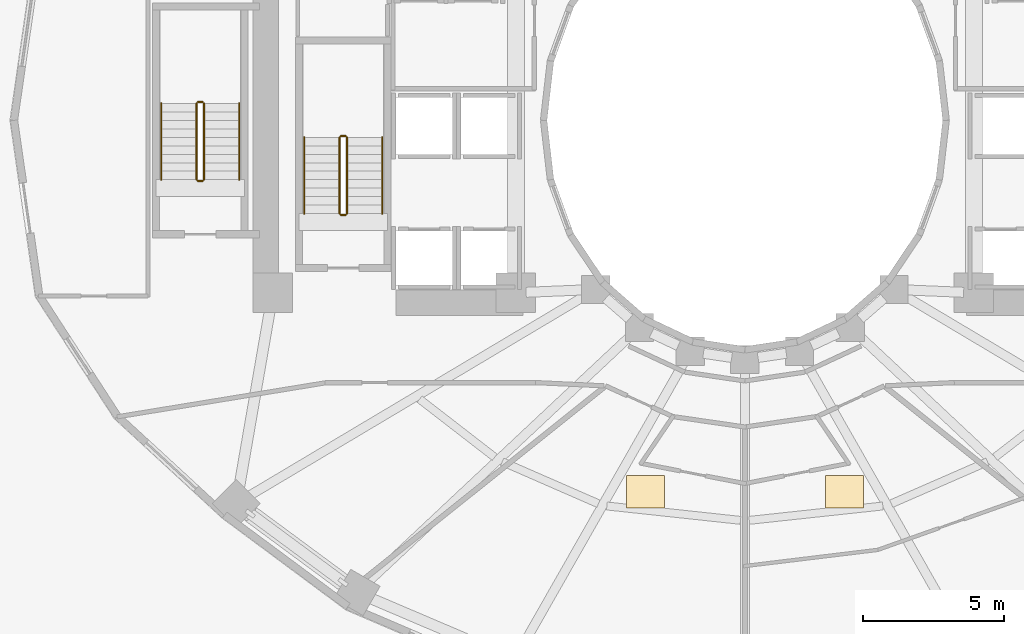
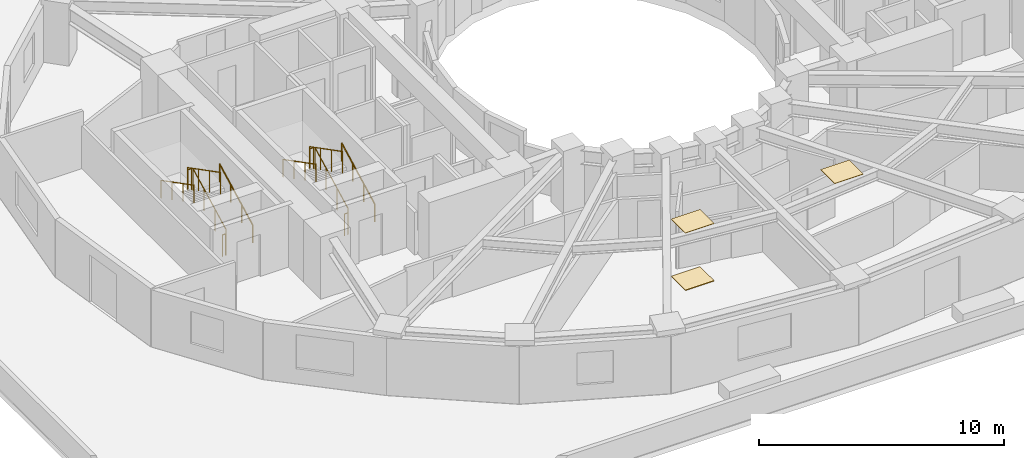
# One storey, part 9 of 10: 12 railings, 3 coverings.
"""IFC4 building model written with IfcOpenShell, lengths in metres."""

import ifcopenshell
import ifcopenshell.guid

model = None  # the IFC model being written
_history = None  # IfcOwnerHistory: only IFC2X3 demands one
_inside = {}  # id of a spatial element -> (the spatial element, [elements in it])
_under = {}  # id of a project, library or spatial element -> (it, [spatial elements below it])
_declared = {}  # id of a project -> (the project, [libraries it declares])
_typed = {}  # id of a type object -> (the type object, [elements of that type])
_made_of = {}  # id of a material, layer set ... -> (it, [elements and type objects made of it])


def new_model(schema):
    """Start an empty IFC model of exactly this schema.

    Asked for "IFC4X3", IfcOpenShell would pick the latest addendum, in which some entities
    have other attributes; the version numbers below select the first issue.
    IFC2X3 requires an IfcOwnerHistory on every rooted entity: one is made here for all.
    """
    global model, _history
    if schema == "IFC4X3":
        model = ifcopenshell.file(schema_version=(4, 3, 0, 0))
    else:
        model = ifcopenshell.file(schema=schema)
    _inside.clear()
    _under.clear()
    _declared.clear()
    _typed.clear()
    _made_of.clear()
    _history = None
    if model.schema == "IFC2X3":
        org = make("IfcOrganization", Name="unknown")
        user = make(
            "IfcPersonAndOrganization",
            ThePerson=make("IfcPerson", FamilyName="unknown"),
            TheOrganization=org,
        )
        app = make(
            "IfcApplication",
            ApplicationDeveloper=org,
            Version="unknown",
            ApplicationFullName="unknown",
            ApplicationIdentifier="unknown",
        )
        _history = make(
            "IfcOwnerHistory",
            OwningUser=user,
            OwningApplication=app,
            ChangeAction="ADDED",
            CreationDate=0,
        )
    return model


def make(cls, **values):
    """One entity of the class cls with the attributes given. An attribute that is None is left unset."""
    return model.create_entity(
        cls, **{name: value for name, value in values.items() if value is not None}
    )


def rooted(cls, **values):
    """An entity with a GlobalId (a new one), such as an element, a storey or a relation."""
    return make(cls, GlobalId=ifcopenshell.guid.new(), OwnerHistory=_history, **values)


def si_unit(unit_type, name, prefix=None):
    """IfcSIUnit, for example si_unit("LENGTHUNIT", "METRE", prefix="MILLI")."""
    return make("IfcSIUnit", UnitType=unit_type, Prefix=prefix, Name=name)


def assignment(units):
    """IfcUnitAssignment: the units of a project."""
    return None if units is None else make("IfcUnitAssignment", Units=units)


def point(xyz):
    """IfcCartesianPoint."""
    return None if xyz is None else make("IfcCartesianPoint", Coordinates=xyz)


def direction(xyz):
    """IfcDirection."""
    return None if xyz is None else make("IfcDirection", DirectionRatios=xyz)


def frame(location, z_axis=None, x_axis=None):
    """IfcAxis2Placement3D, a coordinate frame: its origin and axes. An axis left out is left unset."""
    return make(
        "IfcAxis2Placement3D",
        Location=point(location),
        Axis=direction(z_axis),
        RefDirection=direction(x_axis),
    )


def frame_2d(location, x_axis=None):
    """IfcAxis2Placement2D, a coordinate frame in the plane: its origin and x axis."""
    return make(
        "IfcAxis2Placement2D", Location=point(location), RefDirection=direction(x_axis)
    )


def origin():
    """The frame at (0, 0, 0) with its axes left unset."""
    return frame((0.0, 0.0, 0.0))


def origin_2d():
    """The frame at (0, 0) in the plane with its x axis left unset."""
    return frame_2d((0.0, 0.0))


def place(relative_to, where):
    """IfcLocalPlacement: puts the frame where relative to a parent placement (None: the world)."""
    return make(
        "IfcLocalPlacement", PlacementRelTo=relative_to, RelativePlacement=where
    )


def context(
    kind, dimensions, precision=None, world=None, true_north=None, identifier=None
):
    """IfcGeometricRepresentationContext, for example the 3D "Model" context."""
    return make(
        "IfcGeometricRepresentationContext",
        ContextIdentifier=identifier,
        ContextType=kind,
        CoordinateSpaceDimension=dimensions,
        Precision=precision,
        WorldCoordinateSystem=world,
        TrueNorth=true_north,
    )


def subcontext(parent, identifier, kind, view, scale=None):
    """IfcGeometricRepresentationSubContext, for example "Body" below "Model"."""
    return make(
        "IfcGeometricRepresentationSubContext",
        ContextIdentifier=identifier,
        ContextType=kind,
        ParentContext=parent,
        TargetScale=scale,
        TargetView=view,
    )


def project(units=None, contexts=None):
    """IfcProject with its units and contexts."""
    return rooted(
        "IfcProject",
        Name="project",
        RepresentationContexts=contexts,
        UnitsInContext=assignment(units),
    )


def spatial(cls, under=None, at=None, **own):
    """A site, building, storey or space (cls), placed at a placement, below another one or the project."""
    s = rooted(cls, ObjectPlacement=at, **own)
    if under is not None:
        _under.setdefault(under.id(), (under, []))[1].append(s)
    return s


def polyline(points):
    """IfcPolyline through the points."""
    return make("IfcPolyline", Points=[point(p) for p in points])


def profile(cls, at=None, kind="AREA", **sizes):
    """A parametric profile (cls). Its sizes go by their IFC names, for example OverallWidth=200.0."""
    return make(cls, ProfileType=kind, Position=at, **sizes)


def circle(**sizes):
    """IfcCircleProfileDef."""
    return profile("IfcCircleProfileDef", **sizes)


def outline(outer, holes=None, kind="AREA"):
    """IfcArbitraryClosedProfileDef: a profile drawn as a closed curve; with holes, ...WithVoids."""
    if holes is None:
        return make("IfcArbitraryClosedProfileDef", ProfileType=kind, OuterCurve=outer)
    return make(
        "IfcArbitraryProfileDefWithVoids",
        ProfileType=kind,
        OuterCurve=outer,
        InnerCurves=holes,
    )


def extrude(swept, where, along, depth):
    """IfcExtrudedAreaSolid: the profile swept, set in the frame where, extruded along a direction by depth."""
    return make(
        "IfcExtrudedAreaSolid",
        SweptArea=swept,
        Position=where,
        ExtrudedDirection=direction(along),
        Depth=depth,
    )


def shape(context_of_items, identifier, shape_type, items):
    """IfcShapeRepresentation: the items that make up one representation, for example the "Body"."""
    return make(
        "IfcShapeRepresentation",
        ContextOfItems=context_of_items,
        RepresentationIdentifier=identifier,
        RepresentationType=shape_type,
        Items=items,
    )


def material(Name=None, Category=None):
    """IfcMaterial."""
    return make("IfcMaterial", Name=Name, Category=Category)


def layer(
    of_material, thickness, ventilated=None, Name=None, Category=None, Priority=None
):
    """IfcMaterialLayer: one layer of a wall or slab, of a material (None: an air gap)."""
    return make(
        "IfcMaterialLayer",
        Material=of_material,
        LayerThickness=thickness,
        IsVentilated=ventilated,
        Name=Name,
        Category=Category,
        Priority=Priority,
    )


def layer_set(layers, Name=None):
    """IfcMaterialLayerSet."""
    return make("IfcMaterialLayerSet", MaterialLayers=layers, LayerSetName=Name)


def made_of(thing, what):
    """Note that an element or type object is made of a material, layer set ...; save() writes the relation."""
    if what is not None:
        _made_of.setdefault(what.id(), (what, []))[1].append(thing)
    return thing


def type_object(cls, material=None, **own):
    """A type object (cls), such as IfcWallType, which elements share."""
    return made_of(rooted(cls, **own), material)


def element(
    cls,
    number,
    at=None,
    inside=None,
    cuts=None,
    type_object=None,
    material=None,
    context=None,
    identifier="Body",
    shape_type=None,
    held_by="IfcProductDefinitionShape",
    body=None,
    shapes=None,
    **own,
):
    """One element of the class cls, such as IfcWall. Its Tag is "e" and its number.

    at: its placement. inside: the storey or other place that contains it. cuts: it is an
    opening in that element (IfcRelVoidsElement). A single representation is given by context,
    identifier, shape_type and body (its items); several are given by shapes. held_by: the class
    of the entity that holds the representations. save() writes the other relations.
    """
    e = rooted(cls, Tag="e%d" % number, ObjectPlacement=at, **own)
    if body is not None:
        shapes = [shape(context, identifier, shape_type, body)]
    if shapes is not None:
        e.Representation = make(held_by, Representations=shapes)
    if inside is not None:
        _inside.setdefault(inside.id(), (inside, []))[1].append(e)
    if cuts is not None:
        rooted(
            "IfcRelVoidsElement", RelatingBuildingElement=cuts, RelatedOpeningElement=e
        )
    if type_object is not None:
        _typed.setdefault(type_object.id(), (type_object, []))[1].append(e)
    return made_of(e, material)


def aggregate(whole, parts):
    """IfcRelAggregates: a whole, such as a stair, and the parts it consists of."""
    return rooted("IfcRelAggregates", RelatingObject=whole, RelatedObjects=parts)


def save(model, path):
    """Write the relations noted so far, then the file.

    IfcRelAggregates (storeys below a building ...), IfcRelContainedInSpatialStructure (elements
    in a storey), IfcRelDefinesByType, IfcRelAssociatesMaterial and IfcRelDeclares: one each for
    every whole, place, type object, material and project.
    """
    for whole, parts in _under.values():
        aggregate(whole, parts)
    for where, things in _inside.values():
        rooted(
            "IfcRelContainedInSpatialStructure",
            RelatedElements=things,
            RelatingStructure=where,
        )
    for kind, things in _typed.values():
        rooted("IfcRelDefinesByType", RelatedObjects=things, RelatingType=kind)
    for what, things in _made_of.values():
        rooted("IfcRelAssociatesMaterial", RelatedObjects=things, RelatingMaterial=what)
    for by, libraries in _declared.values():
        rooted("IfcRelDeclares", RelatingContext=by, RelatedDefinitions=libraries)
    model.write(path)


model = new_model("IFC4")

# Units and contexts
model_context = context("Model", 3, precision=1e-05, world=origin(), true_north=direction((0.0, 1.0)))
body_context = subcontext(model_context, "Body", "Model", "MODEL_VIEW")
ifc_project = project(units=[si_unit("LENGTHUNIT", "METRE"), si_unit("AREAUNIT", "SQUARE_METRE"), si_unit("VOLUMEUNIT", "CUBIC_METRE"), si_unit("PLANEANGLEUNIT", "RADIAN"), si_unit("MASSUNIT", "GRAM", prefix="KILO")], contexts=[model_context])

# Site, building, storey
site_placement = place(None, origin())
site = spatial("IfcSite", under=ifc_project, at=site_placement, CompositionType="ELEMENT")
building_placement = place(site_placement, origin())
building = spatial("IfcBuilding", under=site, at=building_placement, Name="Solvane Sanctuary Tower", CompositionType="ELEMENT")
storey_placement = place(building_placement, frame((0.0, 0.0, 27.60009765625)))
storey = spatial("IfcBuildingStorey", under=building, at=storey_placement, Name="L07", CompositionType="ELEMENT", Elevation=27.60009765625)

# Coverings
ifc_material_1 = material(Name="Acoustic Gypsum Partition Board")
ifc_layer_1 = layer(ifc_material_1, 0.02490234375, Name="Acoustic Gypsum Partition Board")
ifc_layer_set_1 = layer_set([ifc_layer_1], Name="Acoustic Gypsum Partition Board")
covering_type_1 = type_object("IfcCoveringType", Name="Covering CLG-ACOUST", PredefinedType="CEILING", material=ifc_layer_set_1)
covering_1_placement = place(storey_placement, frame((0.0, 0.0, 2.849853515625)))
element("IfcCovering", 1, at=covering_1_placement, inside=storey, type_object=covering_type_1, Name="L07 Unit Acoustic Ceiling Panel 3", PredefinedType="CEILING", context=body_context, shape_type="SweptSolid", body=[
    extrude(outline(polyline([(27.804931640625, 9.2880859375), (29.155029296875, 9.2880859375), (29.155029296875, 10.43798828125), (27.804931640625, 10.43798828125), (27.804931640625, 9.2880859375)])), origin(), (0.0, 0.0, 1.0), 0.030029296875),
])
covering_2_placement = place(storey_placement, frame((0.0, 0.0, 2.849853515625)))
element("IfcCovering", 2, at=covering_2_placement, inside=storey, type_object=covering_type_1, Name="L07 Unit Acoustic Ceiling Panel 4", PredefinedType="CEILING", context=body_context, shape_type="SweptSolid", body=[
    extrude(outline(polyline([(34.844970703125, 9.2880859375), (36.195068359375, 9.2880859375), (36.195068359375, 10.43798828125), (34.844970703125, 10.43798828125), (34.844970703125, 9.2880859375)])), origin(), (0.0, 0.0, 1.0), 0.030029296875),
])
ifc_material_2 = material(Name="Ceramic Tile Finish")
ifc_layer_2 = layer(ifc_material_2, 0.030029296875, Name="Ceramic Tile Finish")
ifc_layer_set_2 = layer_set([ifc_layer_2], Name="Ceramic Tile Finish")
covering_type_2 = type_object("IfcCoveringType", Name="Covering FLR-TERRAZZO", PredefinedType="FLOORING", material=ifc_layer_set_2)
covering_3_placement = place(storey_placement, origin())
element("IfcCovering", 3, at=covering_3_placement, inside=storey, type_object=covering_type_2, Name="L07 Unit Terrazzo Inlay 3", PredefinedType="FLOORING", context=body_context, shape_type="SweptSolid", body=[
    extrude(outline(polyline([(27.804931640625, 9.2880859375), (29.155029296875, 9.2880859375), (29.155029296875, 10.43798828125), (27.804931640625, 10.43798828125), (27.804931640625, 9.2880859375)])), origin(), (0.0, 0.0, 1.0), 0.034912109375),
])

# Railings
ifc_material_3 = material(Name="Architectural Stainless Steel 316", Category="steel")
railing_type_1 = type_object("IfcRailingType", Name="Railing GR-BALC-1150", PredefinedType="BALUSTRADE", material=ifc_material_3)
railing_1_placement = place(storey_placement, frame((17.919921875, 19.699951171875, 0.15478515625)))
element("IfcRailing", 4, at=railing_1_placement, inside=storey, type_object=railing_type_1, Name="L07 ST-1 stair guard 1", PredefinedType="BALUSTRADE", context=body_context, shape_type="SweptSolid", body=[
    extrude(circle(Radius=0.02392578125, at=origin_2d()), frame((0.0, 0.0, 1.076171875), z_axis=(0.0, 0.888419900624, 0.459031676658), x_axis=(-1.0, 0.0, 0.0)), (0.0, 0.0, 1.0), 3.0390625),
    extrude(circle(Radius=0.02099609375, at=origin_2d()), origin(), (0.0, 0.0, 1.0), 1.052001953125),
    extrude(circle(Radius=0.02099609375, at=origin_2d()), frame((0.0, 0.89990234375, 0.465087890625)), (0.0, 0.0, 1.0), 1.052001953125),
    extrude(circle(Radius=0.02099609375, at=origin_2d()), frame((0.0, 1.800048828125, 0.929931640625)), (0.0, 0.0, 1.0), 1.052001953125),
    extrude(circle(Radius=0.02099609375, at=origin_2d()), frame((0.0, 2.699951171875, 1.39501953125)), (0.0, 0.0, 1.0), 1.052001953125),
])
railing_2_placement = place(storey_placement, frame((17.8701171875, 22.449951171875, 1.5498046875)))
element("IfcRailing", 5, at=railing_2_placement, inside=storey, type_object=railing_type_1, Name="L07 ST-1 stair guard 2", PredefinedType="BALUSTRADE", context=body_context, shape_type="SweptSolid", body=[
    extrude(circle(Radius=0.02392578125, at=origin_2d()), frame((0.0, 0.0, 1.076171875), z_axis=(-1.0, 0.0, 0.0), x_axis=(0.0, -1.0, 0.0)), (0.0, 0.0, 1.0), 0.16015625),
    extrude(circle(Radius=0.02099609375, at=origin_2d()), origin(), (0.0, 0.0, 1.0), 1.052001953125),
    extrude(circle(Radius=0.02099609375, at=origin_2d()), frame((-0.16015625, 0.0, 0.0)), (0.0, 0.0, 1.0), 1.052001953125),
])
railing_3_placement = place(storey_placement, frame((17.659912109375, 22.39990234375, 1.704833984375)))
element("IfcRailing", 6, at=railing_3_placement, inside=storey, type_object=railing_type_1, Name="L07 ST-1 stair guard 3", PredefinedType="BALUSTRADE", context=body_context, shape_type="SweptSolid", body=[
    extrude(circle(Radius=0.02392578125, at=origin_2d()), frame((0.0, 0.0, 1.076171875), z_axis=(0.0, -0.888419900624, 0.459031676658), x_axis=(1.0, 0.0, 0.0)), (0.0, 0.0, 1.0), 3.0390625),
    extrude(circle(Radius=0.02099609375, at=origin_2d()), origin(), (0.0, 0.0, 1.0), 1.052001953125),
    extrude(circle(Radius=0.02099609375, at=origin_2d()), frame((0.0, -0.89990234375, 0.465087890625)), (0.0, 0.0, 1.0), 1.052001953125),
    extrude(circle(Radius=0.02099609375, at=origin_2d()), frame((0.0, -1.800048828125, 0.929931640625)), (0.0, 0.0, 1.0), 1.052001953125),
    extrude(circle(Radius=0.02099609375, at=origin_2d()), frame((0.0, -2.699951171875, 1.39501953125)), (0.0, 0.0, 1.0), 1.052001953125),
])
railing_4_placement = place(storey_placement, frame((17.8701171875, 19.64990234375, 0.0)))
element("IfcRailing", 7, at=railing_4_placement, inside=storey, type_object=railing_type_1, Name="L07 ST-1 stair guard 4", PredefinedType="BALUSTRADE", context=body_context, shape_type="SweptSolid", body=[
    extrude(circle(Radius=0.02392578125, at=origin_2d()), frame((0.0, 0.0, 1.076171875), z_axis=(-1.0, 0.0, 0.0), x_axis=(0.0, -1.0, 0.0)), (0.0, 0.0, 1.0), 0.16015625),
    extrude(circle(Radius=0.02099609375, at=origin_2d()), origin(), (0.0, 0.0, 1.0), 1.052001953125),
    extrude(circle(Radius=0.02099609375, at=origin_2d()), frame((-0.16015625, 0.0, 0.0)), (0.0, 0.0, 1.0), 1.052001953125),
])
railing_5_placement = place(storey_placement, frame((12.860107421875, 20.89990234375, 0.15478515625)))
element("IfcRailing", 8, at=railing_5_placement, inside=storey, type_object=railing_type_1, Name="L07 ST-3 stair guard 1", PredefinedType="BALUSTRADE", context=body_context, shape_type="SweptSolid", body=[
    extrude(circle(Radius=0.02392578125, at=origin_2d()), frame((0.0, 0.0, 1.076171875), z_axis=(0.0, 0.888436826113, 0.458998917216), x_axis=(-1.0, 0.0, 0.0)), (0.0, 0.0, 1.0), 3.039306640625),
    extrude(circle(Radius=0.02099609375, at=origin_2d()), origin(), (0.0, 0.0, 1.0), 1.052001953125),
    extrude(circle(Radius=0.02099609375, at=origin_2d()), frame((0.0, 0.900146484375, 0.465087890625)), (0.0, 0.0, 1.0), 1.052001953125),
    extrude(circle(Radius=0.02099609375, at=origin_2d()), frame((0.0, 1.800048828125, 0.929931640625)), (0.0, 0.0, 1.0), 1.052001953125),
    extrude(circle(Radius=0.02099609375, at=origin_2d()), frame((0.0, 2.7001953125, 1.39501953125)), (0.0, 0.0, 1.0), 1.052001953125),
])
railing_6_placement = place(storey_placement, frame((12.81005859375, 23.64990234375, 1.5498046875)))
element("IfcRailing", 9, at=railing_6_placement, inside=storey, type_object=railing_type_1, Name="L07 ST-3 stair guard 2", PredefinedType="BALUSTRADE", context=body_context, shape_type="SweptSolid", body=[
    extrude(circle(Radius=0.02392578125, at=origin_2d()), frame((0.0, 0.0, 1.076171875), z_axis=(-1.0, 0.0, 0.0), x_axis=(0.0, -1.0, 0.0)), (0.0, 0.0, 1.0), 0.16015625),
    extrude(circle(Radius=0.02099609375, at=origin_2d()), origin(), (0.0, 0.0, 1.0), 1.052001953125),
    extrude(circle(Radius=0.02099609375, at=origin_2d()), frame((-0.16015625, 0.0, 0.0)), (0.0, 0.0, 1.0), 1.052001953125),
])
railing_7_placement = place(storey_placement, frame((12.60009765625, 23.60009765625, 1.704833984375)))
element("IfcRailing", 10, at=railing_7_placement, inside=storey, type_object=railing_type_1, Name="L07 ST-3 stair guard 3", PredefinedType="BALUSTRADE", context=body_context, shape_type="SweptSolid", body=[
    extrude(circle(Radius=0.02392578125, at=origin_2d()), frame((0.0, 0.0, 1.076171875), z_axis=(0.0, -0.888436826113, 0.458998917216), x_axis=(1.0, 0.0, 0.0)), (0.0, 0.0, 1.0), 3.039306640625),
    extrude(circle(Radius=0.02099609375, at=origin_2d()), origin(), (0.0, 0.0, 1.0), 1.052001953125),
    extrude(circle(Radius=0.02099609375, at=origin_2d()), frame((0.0, -0.900146484375, 0.465087890625)), (0.0, 0.0, 1.0), 1.052001953125),
    extrude(circle(Radius=0.02099609375, at=origin_2d()), frame((0.0, -1.800048828125, 0.929931640625)), (0.0, 0.0, 1.0), 1.052001953125),
    extrude(circle(Radius=0.02099609375, at=origin_2d()), frame((0.0, -2.7001953125, 1.39501953125)), (0.0, 0.0, 1.0), 1.052001953125),
])
railing_8_placement = place(storey_placement, frame((12.81005859375, 20.85009765625, 0.0)))
element("IfcRailing", 11, at=railing_8_placement, inside=storey, type_object=railing_type_1, Name="L07 ST-3 stair guard 4", PredefinedType="BALUSTRADE", context=body_context, shape_type="SweptSolid", body=[
    extrude(circle(Radius=0.02392578125, at=origin_2d()), frame((0.0, 0.0, 1.076171875), z_axis=(-1.0, 0.0, 0.0), x_axis=(0.0, -1.0, 0.0)), (0.0, 0.0, 1.0), 0.16015625),
    extrude(circle(Radius=0.02099609375, at=origin_2d()), origin(), (0.0, 0.0, 1.0), 1.052001953125),
    extrude(circle(Radius=0.02099609375, at=origin_2d()), frame((-0.16015625, 0.0, 0.0)), (0.0, 0.0, 1.0), 1.052001953125),
])
railing_type_2 = type_object("IfcRailingType", Name="Railing HR-STAIR-920", PredefinedType="HANDRAIL", material=ifc_material_3)
railing_9_placement = place(storey_placement, frame((19.169921875, 19.699951171875, 0.15478515625)))
element("IfcRailing", 12, at=railing_9_placement, inside=storey, type_object=railing_type_2, Name="L07 ST-1 stair handrail 1", PredefinedType="HANDRAIL", context=body_context, shape_type="SweptSolid", body=[
    extrude(circle(Radius=0.02392578125, at=origin_2d()), frame((0.0, 0.0, 0.8759765625), z_axis=(0.0, 0.888419900624, 0.459031676658), x_axis=(-1.0, 0.0, 0.0)), (0.0, 0.0, 1.0), 3.0390625),
    extrude(circle(Radius=0.02099609375, at=origin_2d()), origin(), (0.0, 0.0, 1.0), 0.851806640625),
    extrude(circle(Radius=0.02099609375, at=origin_2d()), frame((0.0, 0.89990234375, 0.465087890625)), (0.0, 0.0, 1.0), 0.851806640625),
    extrude(circle(Radius=0.02099609375, at=origin_2d()), frame((0.0, 1.800048828125, 0.929931640625)), (0.0, 0.0, 1.0), 0.851806640625),
    extrude(circle(Radius=0.02099609375, at=origin_2d()), frame((0.0, 2.699951171875, 1.39501953125)), (0.0, 0.0, 1.0), 0.851806640625),
])
railing_10_placement = place(storey_placement, frame((16.409912109375, 22.39990234375, 1.704833984375)))
element("IfcRailing", 13, at=railing_10_placement, inside=storey, type_object=railing_type_2, Name="L07 ST-1 stair handrail 2", PredefinedType="HANDRAIL", context=body_context, shape_type="SweptSolid", body=[
    extrude(circle(Radius=0.02392578125, at=origin_2d()), frame((0.0, 0.0, 0.8759765625), z_axis=(0.0, -0.888419900624, 0.459031676658), x_axis=(1.0, 0.0, 0.0)), (0.0, 0.0, 1.0), 3.0390625),
    extrude(circle(Radius=0.02099609375, at=origin_2d()), origin(), (0.0, 0.0, 1.0), 0.851806640625),
    extrude(circle(Radius=0.02099609375, at=origin_2d()), frame((0.0, -0.89990234375, 0.465087890625)), (0.0, 0.0, 1.0), 0.851806640625),
    extrude(circle(Radius=0.02099609375, at=origin_2d()), frame((0.0, -1.800048828125, 0.929931640625)), (0.0, 0.0, 1.0), 0.851806640625),
    extrude(circle(Radius=0.02099609375, at=origin_2d()), frame((0.0, -2.699951171875, 1.39501953125)), (0.0, 0.0, 1.0), 0.851806640625),
])
railing_11_placement = place(storey_placement, frame((14.110107421875, 20.89990234375, 0.15478515625)))
element("IfcRailing", 14, at=railing_11_placement, inside=storey, type_object=railing_type_2, Name="L07 ST-3 stair handrail 1", PredefinedType="HANDRAIL", context=body_context, shape_type="SweptSolid", body=[
    extrude(circle(Radius=0.02392578125, at=origin_2d()), frame((0.0, 0.0, 0.8759765625), z_axis=(0.0, 0.888436826113, 0.458998917216), x_axis=(-1.0, 0.0, 0.0)), (0.0, 0.0, 1.0), 3.039306640625),
    extrude(circle(Radius=0.02099609375, at=origin_2d()), origin(), (0.0, 0.0, 1.0), 0.851806640625),
    extrude(circle(Radius=0.02099609375, at=origin_2d()), frame((0.0, 0.900146484375, 0.465087890625)), (0.0, 0.0, 1.0), 0.851806640625),
    extrude(circle(Radius=0.02099609375, at=origin_2d()), frame((0.0, 1.800048828125, 0.929931640625)), (0.0, 0.0, 1.0), 0.851806640625),
    extrude(circle(Radius=0.02099609375, at=origin_2d()), frame((0.0, 2.7001953125, 1.39501953125)), (0.0, 0.0, 1.0), 0.851806640625),
])
railing_12_placement = place(storey_placement, frame((11.35009765625, 23.60009765625, 1.704833984375)))
element("IfcRailing", 15, at=railing_12_placement, inside=storey, type_object=railing_type_2, Name="L07 ST-3 stair handrail 2", PredefinedType="HANDRAIL", context=body_context, shape_type="SweptSolid", body=[
    extrude(circle(Radius=0.02392578125, at=origin_2d()), frame((0.0, 0.0, 0.8759765625), z_axis=(0.0, -0.888436826113, 0.458998917216), x_axis=(1.0, 0.0, 0.0)), (0.0, 0.0, 1.0), 3.039306640625),
    extrude(circle(Radius=0.02099609375, at=origin_2d()), origin(), (0.0, 0.0, 1.0), 0.851806640625),
    extrude(circle(Radius=0.02099609375, at=origin_2d()), frame((0.0, -0.900146484375, 0.465087890625)), (0.0, 0.0, 1.0), 0.851806640625),
    extrude(circle(Radius=0.02099609375, at=origin_2d()), frame((0.0, -1.800048828125, 0.929931640625)), (0.0, 0.0, 1.0), 0.851806640625),
    extrude(circle(Radius=0.02099609375, at=origin_2d()), frame((0.0, -2.7001953125, 1.39501953125)), (0.0, 0.0, 1.0), 0.851806640625),
])

save(model, "model.ifc")
